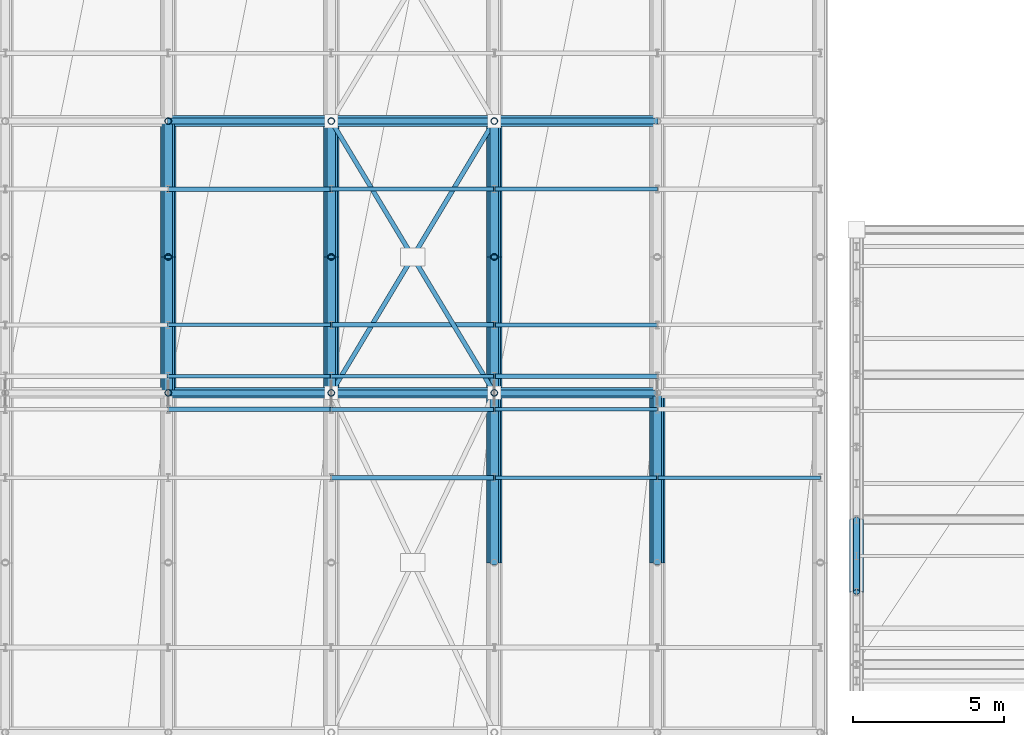
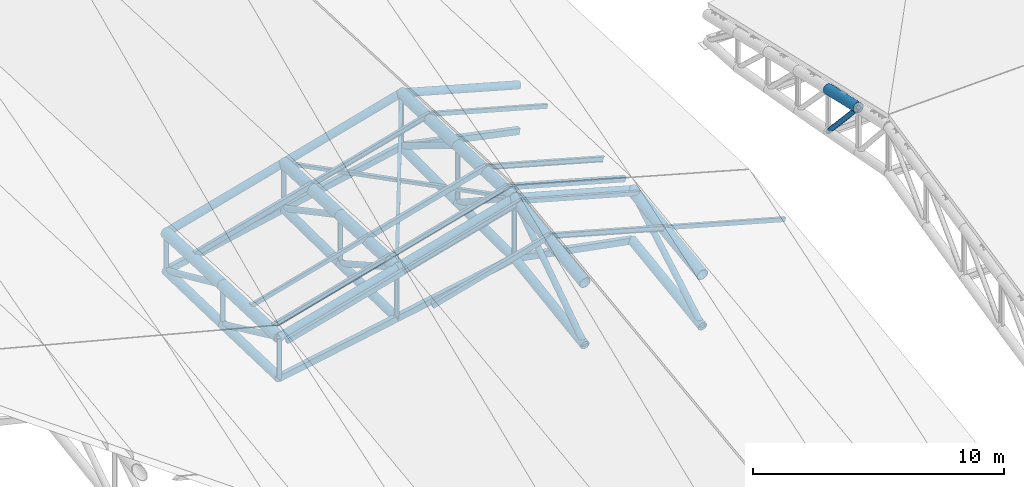
# One storey, part 44 of 109: 48 members, 17 beams.
"""IFC4 building model written with IfcOpenShell, lengths in metres."""

from ifc_helpers import new_model, si_unit, direction, frame, origin, origin_2d, place, context, subcontext, project, spatial, hollow_rectangle, hollow_circle, i_section, extrude, material, material_profile, profile_set, type_object, element, save


model = new_model("IFC4")

# Units and contexts
model_context = context("Model", 3, precision=1e-05, world=origin(), true_north=direction((0.0, 1.0)))
body_context = subcontext(model_context, "Body", "Model", "MODEL_VIEW")
ifc_project = project(units=[si_unit("LENGTHUNIT", "METRE"), si_unit("AREAUNIT", "SQUARE_METRE"), si_unit("VOLUMEUNIT", "CUBIC_METRE"), si_unit("PLANEANGLEUNIT", "RADIAN"), si_unit("MASSUNIT", "GRAM", prefix="KILO")], contexts=[model_context])

# Site, building, storey
site_placement = place(None, origin())
site = spatial("IfcSite", under=ifc_project, at=site_placement, CompositionType="ELEMENT")
building_placement = place(site_placement, origin())
building = spatial("IfcBuilding", under=site, at=building_placement, Name="Suirenkawa Promenade Aquatics Centre", CompositionType="ELEMENT")
storey_placement = place(building_placement, frame((0.0, 0.0, 22.800048828125)))
storey = spatial("IfcBuildingStorey", under=building, at=storey_placement, Name="ROOF", CompositionType="ELEMENT", Elevation=22.800048828125)

# Beams
ifc_material = material(Name="Steel IS 2062 E350 (Grade 350)", Category="steel")
ifc_material_profile_1 = material_profile(ifc_material, hollow_circle(Radius=0.202880859375, WallThickness=0.01806640625, at=origin_2d()), Name="CHS 406x18", Category="steel")
ifc_profile_set_1 = profile_set([ifc_material_profile_1], Name="Steel IS 2062 E350 (Grade 350)")
beam_type_1 = type_object("IfcBeamType", Name="BT-BC-CHS406", PredefinedType="BEAM", material=ifc_profile_set_1)
beam_1_placement = place(storey_placement, frame((133.199951171875, 95.39990234375, -11.156005859375), z_axis=(0.0, 0.999550238504, -0.029988676318), x_axis=(-1.0, 0.0, 0.0)))
element("IfcBeam", 1, at=beam_1_placement, inside=storey, type_object=beam_type_1, Name="ROOF TRUSS V1 bottom chord BC-01 BM-2272", PredefinedType="BEAM", context=body_context, shape_type="SweptSolid", body=[
    extrude(hollow_circle(Radius=0.202880859375, WallThickness=0.01806640625, at=origin_2d()), origin(), (0.0, 0.0, 1.0), 4.501953125),
])
beam_2_placement = place(storey_placement, frame((133.199951171875, 99.89990234375, -11.291015625), z_axis=(0.0, 0.999643939919, -0.026683204125), x_axis=(-1.0, 0.0, 0.0)))
element("IfcBeam", 2, at=beam_2_placement, inside=storey, type_object=beam_type_1, Name="ROOF TRUSS V1 bottom chord BC-01 BM-2274", PredefinedType="BEAM", context=body_context, shape_type="SweptSolid", body=[
    extrude(hollow_circle(Radius=0.202880859375, WallThickness=0.01806640625, at=origin_2d()), origin(), (0.0, 0.0, 1.0), 4.501708984375),
])
beam_3_placement = place(storey_placement, frame((138.60009765625, 95.39990234375, -10.14111328125), z_axis=(0.0, 0.99981353231, -0.01931063463), x_axis=(-1.0, 0.0, 0.0)))
element("IfcBeam", 3, at=beam_3_placement, inside=storey, type_object=beam_type_1, Name="ROOF TRUSS V1 bottom chord BC-01 BM-2300", PredefinedType="BEAM", context=body_context, shape_type="SweptSolid", body=[
    extrude(hollow_circle(Radius=0.202880859375, WallThickness=0.01806640625, at=origin_2d()), origin(), (0.0, 0.0, 1.0), 4.500732421875),
])
beam_4_placement = place(storey_placement, frame((138.60009765625, 99.89990234375, -10.22802734375), z_axis=(0.0, 0.999928127491, -0.011989155608), x_axis=(-1.0, 0.0, 0.0)))
element("IfcBeam", 4, at=beam_4_placement, inside=storey, type_object=beam_type_1, Name="ROOF TRUSS V1 bottom chord BC-01 BM-2302", PredefinedType="BEAM", context=body_context, shape_type="SweptSolid", body=[
    extrude(hollow_circle(Radius=0.202880859375, WallThickness=0.01806640625, at=origin_2d()), origin(), (0.0, 0.0, 1.0), 4.500244140625),
])
beam_5_placement = place(storey_placement, frame((144.0, 89.77490234375, -9.953125), z_axis=(0.0, 0.98936058971, 0.145484100605), x_axis=(-1.0, 0.0, 0.0)))
element("IfcBeam", 5, at=beam_5_placement, inside=storey, type_object=beam_type_1, Name="ROOF TRUSS V1 bottom chord BC-01 BM-2326", PredefinedType="BEAM", context=body_context, shape_type="SweptSolid", body=[
    extrude(hollow_circle(Radius=0.202880859375, WallThickness=0.01806640625, at=origin_2d()), origin(), (0.0, 0.0, 1.0), 5.685546875),
])
beam_6_placement = place(storey_placement, frame((144.0, 95.39990234375, -9.1259765625), z_axis=(0.0, 0.999964186155, -0.008463238555), x_axis=(-1.0, 0.0, 0.0)))
element("IfcBeam", 6, at=beam_6_placement, inside=storey, type_object=beam_type_1, Name="ROOF TRUSS V1 bottom chord BC-01 BM-2328", PredefinedType="BEAM", context=body_context, shape_type="SweptSolid", body=[
    extrude(hollow_circle(Radius=0.202880859375, WallThickness=0.01806640625, at=origin_2d()), origin(), (0.0, 0.0, 1.0), 4.500244140625),
])
beam_7_placement = place(storey_placement, frame((144.0, 99.89990234375, -9.1640625), z_axis=(0.0, 0.999997526048, 0.002224386858), x_axis=(-1.0, 0.0, 0.0)))
element("IfcBeam", 7, at=beam_7_placement, inside=storey, type_object=beam_type_1, Name="ROOF TRUSS V1 bottom chord BC-01 BM-2330", PredefinedType="BEAM", context=body_context, shape_type="SweptSolid", body=[
    extrude(hollow_circle(Radius=0.202880859375, WallThickness=0.01806640625, at=origin_2d()), origin(), (0.0, 0.0, 1.0), 4.5),
])
beam_8_placement = place(storey_placement, frame((149.39990234375, 89.77490234375, -10.93408203125), z_axis=(0.0, 0.990209108988, 0.139591978559), x_axis=(-1.0, 0.0, 0.0)))
element("IfcBeam", 8, at=beam_8_placement, inside=storey, type_object=beam_type_1, Name="ROOF TRUSS V1 bottom chord BC-01 BM-2354", PredefinedType="BEAM", context=body_context, shape_type="SweptSolid", body=[
    extrude(hollow_circle(Radius=0.202880859375, WallThickness=0.01806640625, at=origin_2d()), origin(), (0.0, 0.0, 1.0), 5.6806640625),
])
ifc_material_profile_2 = material_profile(ifc_material, hollow_circle(Radius=0.22900390625, WallThickness=0.02001953125, at=origin_2d()), Name="CHS 458x20", Category="steel")
ifc_profile_set_2 = profile_set([ifc_material_profile_2], Name="Steel IS 2062 E350 (Grade 350)")
beam_type_2 = type_object("IfcBeamType", Name="BT-TC-CHS458", PredefinedType="BEAM", material=ifc_profile_set_2)
beam_9_placement = place(storey_placement, frame((156.0, 88.800048828125, -2.030029296875), z_axis=(0.0, 0.974726021078, -0.223403634333), x_axis=(-1.0, 0.0, 0.0)))
element("IfcBeam", 9, at=beam_9_placement, inside=storey, type_object=beam_type_2, Name="ROOF TRUSS V2 top chord TC-01 BM-2421", PredefinedType="BEAM", context=body_context, shape_type="SweptSolid", body=[
    extrude(hollow_circle(Radius=0.22900390625, WallThickness=0.02001953125, at=origin_2d()), origin(), (0.0, 0.0, 1.0), 2.462158203125),
])
ifc_material_profile_3 = material_profile(ifc_material, hollow_circle(Radius=0.25390625, WallThickness=0.02392578125, at=origin_2d()), Name="CHS 508x24", Category="steel")
ifc_profile_set_3 = profile_set([ifc_material_profile_3], Name="Steel IS 2062 E350 (Grade 350)")
beam_type_3 = type_object("IfcBeamType", Name="BT-TC-CHS508", PredefinedType="BEAM", material=ifc_profile_set_3)
for number, where, z_axis, x_axis, name in (
    (10, (133.199951171875, 95.39990234375, -9.199951171875), (0.0, 0.999173184279, -0.040656460949), (-1.0, 0.0, 0.0), "ROOF TRUSS V1 top chord TC-02 BM-2271"),
    (11, (133.199951171875, 99.89990234375, -9.383056640625), (0.0, 0.999164352475, -0.040872934124), (-1.0, 0.0, 0.0), "ROOF TRUSS V1 top chord TC-02 BM-2273"),
    (12, (138.60009765625, 95.39990234375, -7.699951171875), (0.0, 0.999173184279, -0.040656460949), (-1.0, 0.0, 0.0), "ROOF TRUSS V1 top chord TC-02 BM-2299"),
    (13, (138.60009765625, 99.89990234375, -7.883056640625), (0.0, 0.999164352475, -0.040872934124), (-1.0, 0.0, 0.0), "ROOF TRUSS V1 top chord TC-02 BM-2301"),
):
    element("IfcBeam", number, at=place(storey_placement, frame(where, z_axis=z_axis, x_axis=x_axis)), inside=storey, type_object=beam_type_3, Name=name, PredefinedType="BEAM", context=body_context, shape_type="SweptSolid", body=[
        extrude(hollow_circle(Radius=0.25390625, WallThickness=0.02392578125, at=origin_2d()), origin(), (0.0, 0.0, 1.0), 4.503662109375),
    ])
beam_10_placement = place(storey_placement, frame((144.0, 89.77490234375, -6.925048828125), z_axis=(0.0, 0.991793720609, 0.127848409297), x_axis=(-1.0, 0.0, 0.0)))
element("IfcBeam", 14, at=beam_10_placement, inside=storey, type_object=beam_type_3, Name="ROOF TRUSS V1 top chord TC-02 BM-2325", PredefinedType="BEAM", context=body_context, shape_type="SweptSolid", body=[
    extrude(hollow_circle(Radius=0.25390625, WallThickness=0.02392578125, at=origin_2d()), origin(), (0.0, 0.0, 1.0), 5.671630859375),
])
for number, where, z_axis, x_axis, name in (
    (15, (144.0, 95.39990234375, -6.199951171875), (0.0, 0.999173184279, -0.040656460949), (-1.0, 0.0, 0.0), "ROOF TRUSS V1 top chord TC-02 BM-2327"),
    (16, (144.0, 99.89990234375, -6.383056640625), (0.0, 0.999164352475, -0.040872934124), (-1.0, 0.0, 0.0), "ROOF TRUSS V1 top chord TC-02 BM-2329"),
):
    element("IfcBeam", number, at=place(storey_placement, frame(where, z_axis=z_axis, x_axis=x_axis)), inside=storey, type_object=beam_type_3, Name=name, PredefinedType="BEAM", context=body_context, shape_type="SweptSolid", body=[
        extrude(hollow_circle(Radius=0.25390625, WallThickness=0.02392578125, at=origin_2d()), origin(), (0.0, 0.0, 1.0), 4.503662109375),
    ])
beam_11_placement = place(storey_placement, frame((149.39990234375, 89.77490234375, -8.425048828125), z_axis=(0.0, 0.991793720609, 0.127848409297), x_axis=(-1.0, 0.0, 0.0)))
element("IfcBeam", 17, at=beam_11_placement, inside=storey, type_object=beam_type_3, Name="ROOF TRUSS V1 top chord TC-02 BM-2353", PredefinedType="BEAM", context=body_context, shape_type="SweptSolid", body=[
    extrude(hollow_circle(Radius=0.25390625, WallThickness=0.02392578125, at=origin_2d()), origin(), (0.0, 0.0, 1.0), 5.671630859375),
])

# Members
ifc_material_profile_4 = material_profile(ifc_material, hollow_rectangle(XDim=0.14990234375, YDim=0.14990234375, WallThickness=0.008056640625, at=origin_2d()), Name="SHS 150x150x8", Category="steel")
ifc_profile_set_4 = profile_set([ifc_material_profile_4], Name="Steel IS 2062 E350 (Grade 350)")
member_type_1 = type_object("IfcMemberType", Name="MT-BRACE-SHS150", PredefinedType="BRACE", material=ifc_profile_set_4)
member_1_placement = place(storey_placement, frame((138.60009765625, 95.39990234375, -7.699951171875), z_axis=(0.511518150666, 0.852545668963, 0.107308265625), x_axis=(-0.857497030584, 0.514488913912, 0.0)))
element("IfcMember", 18, at=member_1_placement, inside=storey, type_object=member_type_1, Name="ROOF TRUSS V1 continuous plan brace BF-02 MB-0965", PredefinedType="BRACE", context=body_context, shape_type="SweptSolid", body=[
    extrude(hollow_rectangle(XDim=0.14990234375, YDim=0.14990234375, WallThickness=0.008056640625, at=origin_2d()), origin(), (0.0, 0.0, 1.0), 10.556640625),
])
for number, where, z_axis, x_axis, name in (
    (19, (144.0, 95.39990234375, -6.199951171875), (-0.506561143095, 0.844206510367, -0.175246044634), (-0.857476239003, -0.514523565588, 0.0), "ROOF TRUSS V1 split plan brace A BF-02 MB-0966"),
    (20, (141.257080078125, 99.971923828125, -7.14794921875), (-0.506561143095, 0.844206510367, -0.175246044634), (-0.857476239003, -0.514523565588, 0.0), "ROOF TRUSS V1 split plan brace B BF-02 MB-0967"),
):
    element("IfcMember", number, at=place(storey_placement, frame(where, z_axis=z_axis, x_axis=x_axis)), inside=storey, type_object=member_type_1, Name=name, PredefinedType="BRACE", context=body_context, shape_type="SweptSolid", body=[
        extrude(hollow_rectangle(XDim=0.14990234375, YDim=0.14990234375, WallThickness=0.008056640625, at=origin_2d()), origin(), (0.0, 0.0, 1.0), 5.2451171875),
    ])
ifc_material_profile_5 = material_profile(ifc_material, hollow_circle(Radius=0.177978515625, WallThickness=0.01611328125, at=origin_2d()), Name="CHS 356x16", Category="steel")
ifc_profile_set_5 = profile_set([ifc_material_profile_5], Name="Steel IS 2062 E350 (Grade 350)")
member_type_2 = type_object("IfcMemberType", Name="MT-CHORD-CHS356", PredefinedType="CHORD", material=ifc_profile_set_5)
member_2_placement = place(storey_placement, frame((133.199951171875, 95.39990234375, -9.199951171875), z_axis=(0.963519781844, 0.0, 0.267637123724), x_axis=(0.0, 1.0, 0.0)))
element("IfcMember", 21, at=member_2_placement, inside=storey, type_object=member_type_2, Name="ROOF TRUSS V1 tie chord CH-02 MB-0840", PredefinedType="CHORD", context=body_context, shape_type="SweptSolid", body=[
    extrude(hollow_circle(Radius=0.177978515625, WallThickness=0.01611328125, at=origin_2d()), origin(), (0.0, 0.0, 1.0), 5.6044921875),
])
for number, where, z_axis, x_axis, name in (
    (22, (138.60009765625, 95.39990234375, -7.699951171875), (0.963516661409, 0.0, 0.267648357342), (0.0, 1.0, 0.0), "ROOF TRUSS V1 tie chord CH-02 MB-0842"),
    (23, (144.0, 95.39990234375, -6.199951171875), (0.963516661409, 0.0, -0.267648357342), (0.0, 1.0, 0.0), "ROOF TRUSS V1 tie chord CH-02 MB-0844"),
):
    element("IfcMember", number, at=place(storey_placement, frame(where, z_axis=z_axis, x_axis=x_axis)), inside=storey, type_object=member_type_2, Name=name, PredefinedType="CHORD", context=body_context, shape_type="SweptSolid", body=[
        extrude(hollow_circle(Radius=0.177978515625, WallThickness=0.01611328125, at=origin_2d()), origin(), (0.0, 0.0, 1.0), 5.604248046875),
    ])
member_3_placement = place(storey_placement, frame((133.199951171875, 104.39990234375, -9.567138671875), z_axis=(0.963519781844, 0.0, 0.267637123724), x_axis=(0.0, 1.0, 0.0)))
element("IfcMember", 24, at=member_3_placement, inside=storey, type_object=member_type_2, Name="ROOF TRUSS V1 tie chord CH-02 MB-0880", PredefinedType="CHORD", context=body_context, shape_type="SweptSolid", body=[
    extrude(hollow_circle(Radius=0.177978515625, WallThickness=0.01611328125, at=origin_2d()), origin(), (0.0, 0.0, 1.0), 5.6044921875),
])
for number, where, z_axis, x_axis, name in (
    (25, (138.60009765625, 104.39990234375, -8.067138671875), (0.963516661409, 0.0, 0.267648357342), (0.0, 1.0, 0.0), "ROOF TRUSS V1 tie chord CH-02 MB-0882"),
    (26, (144.0, 104.39990234375, -6.567138671875), (0.963516661409, 0.0, -0.267648357342), (0.0, 1.0, 0.0), "ROOF TRUSS V1 tie chord CH-02 MB-0884"),
):
    element("IfcMember", number, at=place(storey_placement, frame(where, z_axis=z_axis, x_axis=x_axis)), inside=storey, type_object=member_type_2, Name=name, PredefinedType="CHORD", context=body_context, shape_type="SweptSolid", body=[
        extrude(hollow_circle(Radius=0.177978515625, WallThickness=0.01611328125, at=origin_2d()), origin(), (0.0, 0.0, 1.0), 5.604248046875),
    ])
ifc_material_profile_6 = material_profile(ifc_material, hollow_rectangle(XDim=0.199951171875, YDim=0.300048828125, WallThickness=0.011962890625, at=origin_2d()), Name="RHS 300x200x12", Category="steel")
ifc_profile_set_6 = profile_set([ifc_material_profile_6], Name="Steel IS 2062 E350 (Grade 350)")
member_type_3 = type_object("IfcMemberType", Name="MT-CHORD-RHS300", PredefinedType="CHORD", material=ifc_profile_set_6)
member_4_placement = place(storey_placement, frame((133.199951171875, 95.39990234375, -11.156005859375), z_axis=(0.982794133175, 0.0, 0.184704336164), x_axis=(0.0, 1.0, 0.0)))
element("IfcMember", 27, at=member_4_placement, inside=storey, type_object=member_type_3, Name="ROOF TRUSS V1 bottom tie CH-03 MB-0841", PredefinedType="CHORD", context=body_context, shape_type="SweptSolid", body=[
    extrude(hollow_rectangle(XDim=0.199951171875, YDim=0.300048828125, WallThickness=0.011962890625, at=origin_2d()), origin(), (0.0, 0.0, 1.0), 5.49462890625),
])
for number, where, z_axis, x_axis, name in (
    (28, (138.60009765625, 95.39990234375, -10.14111328125), (0.982784550079, 0.0, 0.184755319614), (0.0, 1.0, 0.0), "ROOF TRUSS V1 bottom tie CH-03 MB-0843"),
    (29, (144.0, 95.39990234375, -9.1259765625), (0.982784550079, 0.0, -0.184755319614), (0.0, 1.0, 0.0), "ROOF TRUSS V1 bottom tie CH-03 MB-0845"),
):
    element("IfcMember", number, at=place(storey_placement, frame(where, z_axis=z_axis, x_axis=x_axis)), inside=storey, type_object=member_type_3, Name=name, PredefinedType="CHORD", context=body_context, shape_type="SweptSolid", body=[
        extrude(hollow_rectangle(XDim=0.199951171875, YDim=0.300048828125, WallThickness=0.011962890625, at=origin_2d()), origin(), (0.0, 0.0, 1.0), 5.494384765625),
    ])
member_5_placement = place(storey_placement, frame((133.199951171875, 104.39990234375, -11.4111328125), z_axis=(0.978831052916, 0.0, 0.204669904595), x_axis=(0.0, 1.0, 0.0)))
element("IfcMember", 30, at=member_5_placement, inside=storey, type_object=member_type_3, Name="ROOF TRUSS V1 bottom tie CH-03 MB-0881", PredefinedType="CHORD", context=body_context, shape_type="SweptSolid", body=[
    extrude(hollow_rectangle(XDim=0.199951171875, YDim=0.300048828125, WallThickness=0.011962890625, at=origin_2d()), origin(), (0.0, 0.0, 1.0), 5.516845703125),
])
for number, where, z_axis, x_axis, name in (
    (31, (138.60009765625, 104.39990234375, -10.281982421875), (0.978873509428, 0.0, 0.204466751675), (0.0, 1.0, 0.0), "ROOF TRUSS V1 bottom tie CH-03 MB-0883"),
    (32, (144.0, 104.39990234375, -9.154052734375), (0.978873509428, 0.0, -0.204466751675), (0.0, 1.0, 0.0), "ROOF TRUSS V1 bottom tie CH-03 MB-0885"),
):
    element("IfcMember", number, at=place(storey_placement, frame(where, z_axis=z_axis, x_axis=x_axis)), inside=storey, type_object=member_type_3, Name=name, PredefinedType="CHORD", context=body_context, shape_type="SweptSolid", body=[
        extrude(hollow_rectangle(XDim=0.199951171875, YDim=0.300048828125, WallThickness=0.011962890625, at=origin_2d()), origin(), (0.0, 0.0, 1.0), 5.516357421875),
    ])
ifc_material_profile_7 = material_profile(ifc_material, i_section(OverallWidth=0.125, OverallDepth=0.25, WebThickness=0.007080078125, FlangeThickness=0.012939453125, at=origin_2d()), Name="ISMB 250", Category="steel")
ifc_profile_set_7 = profile_set([ifc_material_profile_7], Name="Steel IS 2062 E350 (Grade 350)")
member_type_4 = type_object("IfcMemberType", Name="MT-PURLIN-ISMB250", PredefinedType="PURLIN", material=ifc_profile_set_7)
member_6_placement = place(storey_placement, frame((133.199951171875, 95.949951171875, -8.994140625), z_axis=(0.963519781844, 0.0, 0.267637123724), x_axis=(0.0, 1.0, 0.0)))
element("IfcMember", 33, at=member_6_placement, inside=storey, type_object=member_type_4, Name="ROOF TRUSS Roof purlin PU-04 MB-2283", PredefinedType="PURLIN", context=body_context, shape_type="SweptSolid", body=[
    extrude(i_section(OverallWidth=0.125, OverallDepth=0.25, WebThickness=0.007080078125, FlangeThickness=0.012939453125, at=origin_2d()), origin(), (0.0, 0.0, 1.0), 5.6044921875),
])
for number, where, z_axis, x_axis, name in (
    (34, (138.60009765625, 94.85009765625, -7.550048828125), (0.963516661409, 0.0, 0.267648357342), (0.0, 1.0, 0.0), "ROOF TRUSS Roof purlin PU-04 MB-2317"),
    (35, (138.60009765625, 102.14990234375, -7.7470703125), (0.963516661409, 0.0, 0.267648357342), (0.0, 1.0, 0.0), "ROOF TRUSS Roof purlin PU-04 MB-2323"),
    (36, (144.0, 92.587890625, -6.341064453125), (0.963516661409, 0.0, -0.267648357342), (0.0, 1.0, 0.0), "ROOF TRUSS Roof purlin PU-04 MB-2351"),
    (37, (144.0, 97.64990234375, -6.06298828125), (0.963516661409, 0.0, -0.267648357342), (0.0, 1.0, 0.0), "ROOF TRUSS Roof purlin PU-04 MB-2357"),
):
    element("IfcMember", number, at=place(storey_placement, frame(where, z_axis=z_axis, x_axis=x_axis)), inside=storey, type_object=member_type_4, Name=name, PredefinedType="PURLIN", context=body_context, shape_type="SweptSolid", body=[
        extrude(i_section(OverallWidth=0.125, OverallDepth=0.25, WebThickness=0.007080078125, FlangeThickness=0.012939453125, at=origin_2d()), origin(), (0.0, 0.0, 1.0), 5.604248046875),
    ])
ifc_material_profile_8 = material_profile(ifc_material, hollow_rectangle(XDim=0.1201171875, YDim=0.199951171875, WallThickness=0.008056640625, at=origin_2d()), Name="RHS 200x120x8", Category="steel")
ifc_profile_set_8 = profile_set([ifc_material_profile_8], Name="Steel IS 2062 E350 (Grade 350)")
member_type_5 = type_object("IfcMemberType", Name="MT-PURLIN-RHS200", PredefinedType="PURLIN", material=ifc_profile_set_8)
member_7_placement = place(storey_placement, frame((133.199951171875, 97.64990234375, -9.0380859375), z_axis=(0.963519781844, 0.0, 0.267637123724), x_axis=(0.0, 1.0, 0.0)))
element("IfcMember", 38, at=member_7_placement, inside=storey, type_object=member_type_5, Name="ROOF TRUSS Roof purlin PU-02 MB-2285", PredefinedType="PURLIN", context=body_context, shape_type="SweptSolid", body=[
    extrude(hollow_rectangle(XDim=0.1201171875, YDim=0.199951171875, WallThickness=0.008056640625, at=origin_2d()), origin(), (0.0, 0.0, 1.0), 5.6044921875),
])
for number, where, z_axis, x_axis, name in (
    (39, (138.60009765625, 95.949951171875, -7.468994140625), (0.963516661409, 0.0, 0.267648357342), (0.0, 1.0, 0.0), "ROOF TRUSS Roof purlin PU-02 MB-2319"),
    (40, (144.0, 94.85009765625, -6.025146484375), (0.963516661409, 0.0, -0.267648357342), (0.0, 1.0, 0.0), "ROOF TRUSS Roof purlin PU-02 MB-2353"),
    (41, (144.0, 102.14990234375, -6.22216796875), (0.963516661409, 0.0, -0.267648357342), (0.0, 1.0, 0.0), "ROOF TRUSS Roof purlin PU-02 MB-2359"),
):
    element("IfcMember", number, at=place(storey_placement, frame(where, z_axis=z_axis, x_axis=x_axis)), inside=storey, type_object=member_type_5, Name=name, PredefinedType="PURLIN", context=body_context, shape_type="SweptSolid", body=[
        extrude(hollow_rectangle(XDim=0.1201171875, YDim=0.199951171875, WallThickness=0.008056640625, at=origin_2d()), origin(), (0.0, 0.0, 1.0), 5.604248046875),
    ])
member_8_placement = place(storey_placement, frame((149.39990234375, 92.587890625, -7.816162109375), z_axis=(0.963519781844, 0.0, -0.267637123724), x_axis=(0.0, 1.0, 0.0)))
element("IfcMember", 42, at=member_8_placement, inside=storey, type_object=member_type_5, Name="ROOF TRUSS Roof purlin PU-02 MB-2387", PredefinedType="PURLIN", context=body_context, shape_type="SweptSolid", body=[
    extrude(hollow_rectangle(XDim=0.1201171875, YDim=0.199951171875, WallThickness=0.008056640625, at=origin_2d()), origin(), (0.0, 0.0, 1.0), 5.6044921875),
])
ifc_material_profile_9 = material_profile(ifc_material, hollow_rectangle(XDim=0.14990234375, YDim=0.25, WallThickness=0.010009765625, at=origin_2d()), Name="RHS 250x150x10", Category="steel")
ifc_profile_set_9 = profile_set([ifc_material_profile_9], Name="Steel IS 2062 E350 (Grade 350)")
member_type_6 = type_object("IfcMemberType", Name="MT-PURLIN-RHS250", PredefinedType="PURLIN", material=ifc_profile_set_9)
for number, where, z_axis, x_axis, name in (
    (43, (133.199951171875, 94.85009765625, -9.052001953125), (0.963519781844, 0.0, 0.267637123724), (0.0, 1.0, 0.0), "ROOF TRUSS Roof purlin PU-03 MB-2281"),
    (44, (133.199951171875, 102.14990234375, -9.2470703125), (0.963519781844, 0.0, 0.267637123724), (0.0, 1.0, 0.0), "ROOF TRUSS Roof purlin PU-03 MB-2287"),
):
    element("IfcMember", number, at=place(storey_placement, frame(where, z_axis=z_axis, x_axis=x_axis)), inside=storey, type_object=member_type_6, Name=name, PredefinedType="PURLIN", context=body_context, shape_type="SweptSolid", body=[
        extrude(hollow_rectangle(XDim=0.14990234375, YDim=0.25, WallThickness=0.010009765625, at=origin_2d()), origin(), (0.0, 0.0, 1.0), 5.6044921875),
    ])
for number, where, z_axis, x_axis, name in (
    (45, (138.60009765625, 92.587890625, -7.843017578125), (0.963516661409, 0.0, 0.267648357342), (0.0, 1.0, 0.0), "ROOF TRUSS Roof purlin PU-03 MB-2315"),
    (46, (138.60009765625, 97.64990234375, -7.56396484375), (0.963516661409, 0.0, 0.267648357342), (0.0, 1.0, 0.0), "ROOF TRUSS Roof purlin PU-03 MB-2321"),
    (47, (144.0, 95.949951171875, -5.9951171875), (0.963516661409, 0.0, -0.267648357342), (0.0, 1.0, 0.0), "ROOF TRUSS Roof purlin PU-03 MB-2355"),
):
    element("IfcMember", number, at=place(storey_placement, frame(where, z_axis=z_axis, x_axis=x_axis)), inside=storey, type_object=member_type_6, Name=name, PredefinedType="PURLIN", context=body_context, shape_type="SweptSolid", body=[
        extrude(hollow_rectangle(XDim=0.14990234375, YDim=0.25, WallThickness=0.010009765625, at=origin_2d()), origin(), (0.0, 0.0, 1.0), 5.604248046875),
    ])
ifc_material_profile_10 = material_profile(ifc_material, hollow_circle(Radius=0.110107421875, WallThickness=0.010009765625, at=origin_2d()), Name="CHS 220x10", Category="steel")
ifc_profile_set_10 = profile_set([ifc_material_profile_10], Name="Steel IS 2062 E350 (Grade 350)")
member_type_7 = type_object("IfcMemberType", Name="MT-WEB-CHS220", PredefinedType="BRACE", material=ifc_profile_set_10)
member_9_placement = place(storey_placement, frame((133.199951171875, 95.39990234375, -11.156005859375), z_axis=(0.0, 0.0, 1.0), x_axis=(1.0, 0.0, 0.0)))
element("IfcMember", 48, at=member_9_placement, inside=storey, type_object=member_type_7, Name="ROOF TRUSS V1 web post TD-01 MB-0454", PredefinedType="BRACE", context=body_context, shape_type="SweptSolid", body=[
    extrude(hollow_circle(Radius=0.110107421875, WallThickness=0.010009765625, at=origin_2d()), origin(), (0.0, 0.0, 1.0), 1.9560546875),
])
member_10_placement = place(storey_placement, frame((133.199951171875, 99.89990234375, -11.291015625), z_axis=(0.0, 0.0, 1.0), x_axis=(1.0, 0.0, 0.0)))
element("IfcMember", 49, at=member_10_placement, inside=storey, type_object=member_type_7, Name="ROOF TRUSS V1 web post TD-01 MB-0455", PredefinedType="BRACE", context=body_context, shape_type="SweptSolid", body=[
    extrude(hollow_circle(Radius=0.110107421875, WallThickness=0.010009765625, at=origin_2d()), origin(), (0.0, 0.0, 1.0), 1.907958984375),
])
member_11_placement = place(storey_placement, frame((133.199951171875, 104.39990234375, -11.4111328125), z_axis=(0.0, 0.0, 1.0), x_axis=(1.0, 0.0, 0.0)))
element("IfcMember", 50, at=member_11_placement, inside=storey, type_object=member_type_7, Name="ROOF TRUSS V1 web post TD-01 MB-0456", PredefinedType="BRACE", context=body_context, shape_type="SweptSolid", body=[
    extrude(hollow_circle(Radius=0.110107421875, WallThickness=0.010009765625, at=origin_2d()), origin(), (0.0, 0.0, 1.0), 1.843994140625),
])
member_12_placement = place(storey_placement, frame((138.60009765625, 95.39990234375, -10.14111328125), z_axis=(0.0, 0.0, 1.0), x_axis=(1.0, 0.0, 0.0)))
element("IfcMember", 51, at=member_12_placement, inside=storey, type_object=member_type_7, Name="ROOF TRUSS V1 web post TD-01 MB-0481", PredefinedType="BRACE", context=body_context, shape_type="SweptSolid", body=[
    extrude(hollow_circle(Radius=0.110107421875, WallThickness=0.010009765625, at=origin_2d()), origin(), (0.0, 0.0, 1.0), 2.441162109375),
])
member_13_placement = place(storey_placement, frame((138.60009765625, 99.89990234375, -10.22802734375), z_axis=(0.0, 0.0, 1.0), x_axis=(1.0, 0.0, 0.0)))
element("IfcMember", 52, at=member_13_placement, inside=storey, type_object=member_type_7, Name="ROOF TRUSS V1 web post TD-01 MB-0482", PredefinedType="BRACE", context=body_context, shape_type="SweptSolid", body=[
    extrude(hollow_circle(Radius=0.110107421875, WallThickness=0.010009765625, at=origin_2d()), origin(), (0.0, 0.0, 1.0), 2.344970703125),
])
member_14_placement = place(storey_placement, frame((138.60009765625, 104.39990234375, -10.281982421875), z_axis=(0.0, 0.0, 1.0), x_axis=(1.0, 0.0, 0.0)))
element("IfcMember", 53, at=member_14_placement, inside=storey, type_object=member_type_7, Name="ROOF TRUSS V1 web post TD-01 MB-0483", PredefinedType="BRACE", context=body_context, shape_type="SweptSolid", body=[
    extrude(hollow_circle(Radius=0.110107421875, WallThickness=0.010009765625, at=origin_2d()), origin(), (0.0, 0.0, 1.0), 2.21484375),
])
member_15_placement = place(storey_placement, frame((144.0, 95.39990234375, -9.1259765625), z_axis=(0.0, 0.0, 1.0), x_axis=(1.0, 0.0, 0.0)))
element("IfcMember", 54, at=member_15_placement, inside=storey, type_object=member_type_7, Name="ROOF TRUSS V1 web post TD-01 MB-0508", PredefinedType="BRACE", context=body_context, shape_type="SweptSolid", body=[
    extrude(hollow_circle(Radius=0.110107421875, WallThickness=0.010009765625, at=origin_2d()), origin(), (0.0, 0.0, 1.0), 2.926025390625),
])
member_16_placement = place(storey_placement, frame((144.0, 99.89990234375, -9.1640625), z_axis=(0.0, 0.0, 1.0), x_axis=(1.0, 0.0, 0.0)))
element("IfcMember", 55, at=member_16_placement, inside=storey, type_object=member_type_7, Name="ROOF TRUSS V1 web post TD-01 MB-0509", PredefinedType="BRACE", context=body_context, shape_type="SweptSolid", body=[
    extrude(hollow_circle(Radius=0.110107421875, WallThickness=0.010009765625, at=origin_2d()), origin(), (0.0, 0.0, 1.0), 2.781005859375),
])
member_17_placement = place(storey_placement, frame((144.0, 104.39990234375, -9.154052734375), z_axis=(0.0, 0.0, 1.0), x_axis=(1.0, 0.0, 0.0)))
element("IfcMember", 56, at=member_17_placement, inside=storey, type_object=member_type_7, Name="ROOF TRUSS V1 web post TD-01 MB-0510", PredefinedType="BRACE", context=body_context, shape_type="SweptSolid", body=[
    extrude(hollow_circle(Radius=0.110107421875, WallThickness=0.010009765625, at=origin_2d()), origin(), (0.0, 0.0, 1.0), 2.5869140625),
])
member_18_placement = place(storey_placement, frame((156.0, 88.800048828125, -2.030029296875), z_axis=(0.0, 0.677289348691, -0.735716751304), x_axis=(-1.0, 0.0, 0.0)))
element("IfcMember", 57, at=member_18_placement, inside=storey, type_object=member_type_7, Name="ROOF TRUSS V2 web diagonal TD-01 MB-0984", PredefinedType="BRACE", context=body_context, shape_type="SweptSolid", body=[
    extrude(hollow_circle(Radius=0.110107421875, WallThickness=0.010009765625, at=origin_2d()), origin(), (0.0, 0.0, 1.0), 3.54345703125),
])
ifc_material_profile_11 = material_profile(ifc_material, hollow_circle(Radius=0.136962890625, WallThickness=0.011962890625, at=origin_2d()), Name="CHS 274x12", Category="steel")
ifc_profile_set_11 = profile_set([ifc_material_profile_11], Name="Steel IS 2062 E350 (Grade 350)")
member_type_8 = type_object("IfcMemberType", Name="MT-WEB-CHS274", PredefinedType="BRACE", material=ifc_profile_set_11)
member_19_placement = place(storey_placement, frame((133.199951171875, 95.39990234375, -9.199951171875), z_axis=(0.0, 0.906872003825, -0.421406180163), x_axis=(-1.0, 0.0, 0.0)))
element("IfcMember", 58, at=member_19_placement, inside=storey, type_object=member_type_8, Name="ROOF TRUSS V1 web diagonal TD-02 MB-0441", PredefinedType="BRACE", context=body_context, shape_type="SweptSolid", body=[
    extrude(hollow_circle(Radius=0.136962890625, WallThickness=0.011962890625, at=origin_2d()), origin(), (0.0, 0.0, 1.0), 4.962158203125),
])
member_20_placement = place(storey_placement, frame((133.199951171875, 99.89990234375, -9.383056640625), z_axis=(0.0, 0.911688134665, -0.41088288491), x_axis=(-1.0, 0.0, 0.0)))
element("IfcMember", 59, at=member_20_placement, inside=storey, type_object=member_type_8, Name="ROOF TRUSS V1 web diagonal TD-02 MB-0442", PredefinedType="BRACE", context=body_context, shape_type="SweptSolid", body=[
    extrude(hollow_circle(Radius=0.136962890625, WallThickness=0.011962890625, at=origin_2d()), origin(), (0.0, 0.0, 1.0), 4.935791015625),
])
member_21_placement = place(storey_placement, frame((138.60009765625, 95.39990234375, -7.699951171875), z_axis=(0.0, 0.871838159917, -0.489794061737), x_axis=(-1.0, 0.0, 0.0)))
element("IfcMember", 60, at=member_21_placement, inside=storey, type_object=member_type_8, Name="ROOF TRUSS V1 web diagonal TD-02 MB-0468", PredefinedType="BRACE", context=body_context, shape_type="SweptSolid", body=[
    extrude(hollow_circle(Radius=0.136962890625, WallThickness=0.011962890625, at=origin_2d()), origin(), (0.0, 0.0, 1.0), 5.16162109375),
])
member_22_placement = place(storey_placement, frame((138.60009765625, 99.89990234375, -7.883056640625), z_axis=(0.0, 0.882440393895, -0.47042422474), x_axis=(-1.0, 0.0, 0.0)))
element("IfcMember", 61, at=member_22_placement, inside=storey, type_object=member_type_8, Name="ROOF TRUSS V1 web diagonal TD-02 MB-0469", PredefinedType="BRACE", context=body_context, shape_type="SweptSolid", body=[
    extrude(hollow_circle(Radius=0.136962890625, WallThickness=0.011962890625, at=origin_2d()), origin(), (0.0, 0.0, 1.0), 5.099609375),
])
member_23_placement = place(storey_placement, frame((144.0, 89.77490234375, -9.953125), z_axis=(0.0, 0.831833607555, 0.55502508893), x_axis=(-1.0, 0.0, 0.0)))
element("IfcMember", 62, at=member_23_placement, inside=storey, type_object=member_type_8, Name="ROOF TRUSS V1 web diagonal TD-02 MB-0494", PredefinedType="BRACE", context=body_context, shape_type="SweptSolid", body=[
    extrude(hollow_circle(Radius=0.136962890625, WallThickness=0.011962890625, at=origin_2d()), origin(), (0.0, 0.0, 1.0), 6.76220703125),
])
member_24_placement = place(storey_placement, frame((144.0, 95.39990234375, -6.199951171875), z_axis=(0.0, 0.835111471148, -0.550080749306), x_axis=(-1.0, 0.0, 0.0)))
element("IfcMember", 63, at=member_24_placement, inside=storey, type_object=member_type_8, Name="ROOF TRUSS V1 web diagonal TD-02 MB-0495", PredefinedType="BRACE", context=body_context, shape_type="SweptSolid", body=[
    extrude(hollow_circle(Radius=0.136962890625, WallThickness=0.011962890625, at=origin_2d()), origin(), (0.0, 0.0, 1.0), 5.388427734375),
])
member_25_placement = place(storey_placement, frame((144.0, 99.89990234375, -6.383056640625), z_axis=(0.0, 0.851509181846, -0.524339692597), x_axis=(-1.0, 0.0, 0.0)))
element("IfcMember", 64, at=member_25_placement, inside=storey, type_object=member_type_8, Name="ROOF TRUSS V1 web diagonal TD-02 MB-0496", PredefinedType="BRACE", context=body_context, shape_type="SweptSolid", body=[
    extrude(hollow_circle(Radius=0.136962890625, WallThickness=0.011962890625, at=origin_2d()), origin(), (0.0, 0.0, 1.0), 5.28466796875),
])
member_26_placement = place(storey_placement, frame((149.39990234375, 89.77490234375, -10.93408203125), z_axis=(0.0, 0.866922562202, 0.498442846419), x_axis=(-1.0, 0.0, 0.0)))
element("IfcMember", 65, at=member_26_placement, inside=storey, type_object=member_type_8, Name="ROOF TRUSS V1 web diagonal TD-02 MB-0521", PredefinedType="BRACE", context=body_context, shape_type="SweptSolid", body=[
    extrude(hollow_circle(Radius=0.136962890625, WallThickness=0.011962890625, at=origin_2d()), origin(), (0.0, 0.0, 1.0), 6.488525390625),
])

save(model, "model.ifc")
